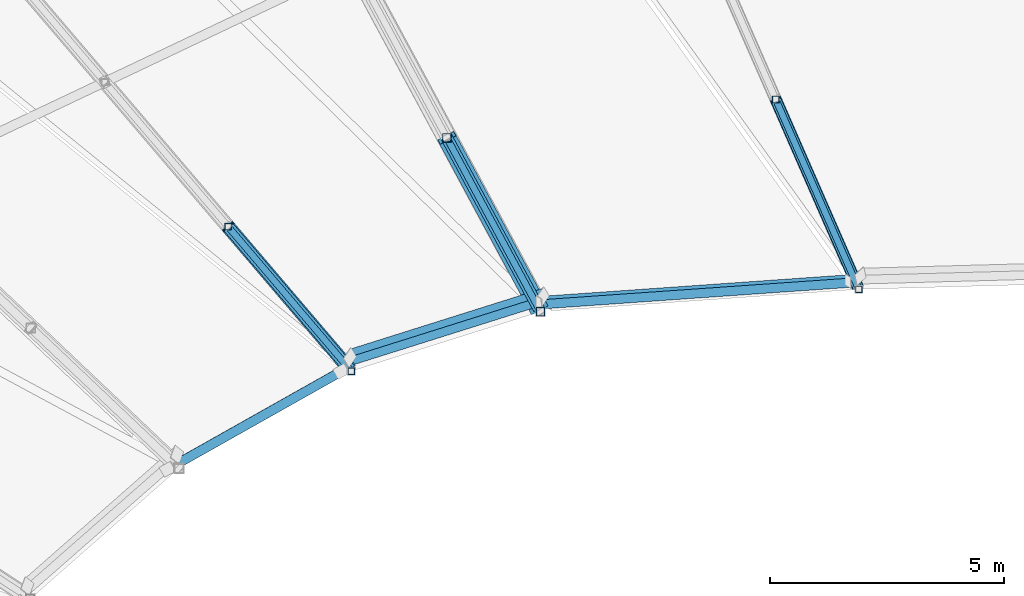
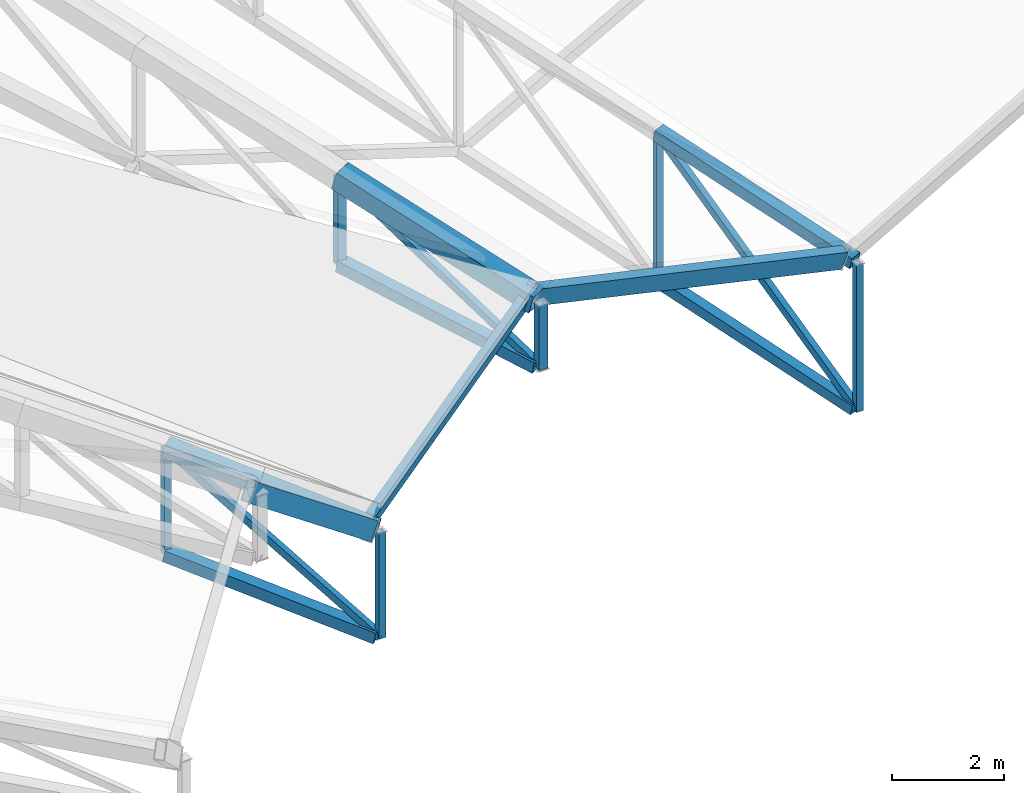
# One storey, part 142 of 344: 15 members, 3 beams.
"""IFC4 building model written with IfcOpenShell, lengths in metres."""

from ifc_helpers import new_model, si_unit, direction, frame, origin, origin_2d, place, context, subcontext, project, spatial, hollow_rectangle, extrude, material, material_profile, profile_set, type_object, element, save


model = new_model("IFC4")

# Units and contexts
model_context = context("Model", 3, precision=1e-05, world=origin(), true_north=direction((0.0, 1.0)))
body_context = subcontext(model_context, "Body", "Model", "MODEL_VIEW")
ifc_project = project(units=[si_unit("LENGTHUNIT", "METRE"), si_unit("AREAUNIT", "SQUARE_METRE"), si_unit("VOLUMEUNIT", "CUBIC_METRE"), si_unit("PLANEANGLEUNIT", "RADIAN"), si_unit("MASSUNIT", "GRAM", prefix="KILO")], contexts=[model_context])

# Site, building, storey
site_placement = place(None, origin())
site = spatial("IfcSite", under=ifc_project, at=site_placement, CompositionType="ELEMENT")
building_placement = place(site_placement, origin())
building = spatial("IfcBuilding", under=site, at=building_placement, Name="Meseta Stadium", CompositionType="ELEMENT")
storey_placement = place(building_placement, frame((0.0, 0.0, 24.0)))
storey = spatial("IfcBuildingStorey", under=building, at=storey_placement, Name="L04", CompositionType="ELEMENT", Elevation=24.0)

# Beams
ifc_material_1 = material(Name="Steel S355", Category="steel")
ifc_material_profile_1 = material_profile(ifc_material_1, hollow_rectangle(XDim=0.199951171875, YDim=0.39990234375, WallThickness=0.01611328125, at=origin_2d()), Name="RHS 400x200x16")
ifc_profile_set_1 = profile_set([ifc_material_profile_1], Name="Steel S355")
beam_type = type_object("IfcBeamType", Name="RHS 400x200x16 tip ring beam", PredefinedType="BEAM", material=ifc_profile_set_1)
beam_1_placement = place(storey_placement, frame((-24.114501953125, 65.75146484375, 1.63671875), z_axis=(-0.962963308248, -0.06747558513, 0.261053083453), x_axis=(0.020675805245, -0.983809354001, -0.178021532568)))
element("IfcBeam", 1, at=beam_1_placement, inside=storey, type_object=beam_type, Name="TIP RING BEAM 22", PredefinedType="BEAM", context=body_context, shape_type="SweptSolid", body=[
    extrude(hollow_rectangle(XDim=0.199951171875, YDim=0.39990234375, WallThickness=0.01611328125, at=origin_2d()), origin(), (0.0, 0.0, 1.0), 6.842041015625),
])
beam_2_placement = place(storey_placement, frame((-30.645751953125, 65.4140625, 3.492919921875), z_axis=(-0.799095724949, -0.251770537172, -0.54594653491), x_axis=(0.48082839216, -0.812764049269, -0.328966043094)))
element("IfcBeam", 2, at=beam_2_placement, inside=storey, type_object=beam_type, Name="TIP RING BEAM 23", PredefinedType="BEAM", context=body_context, shape_type="SweptSolid", body=[
    extrude(hollow_rectangle(XDim=0.199951171875, YDim=0.39990234375, WallThickness=0.01611328125, at=origin_2d()), origin(), (0.0, 0.0, 1.0), 5.135498046875),
])
beam_3_placement = place(storey_placement, frame((-34.941650390625, 63.822509765625, 0.665771484375), z_axis=(-0.680193224368, -0.383153067773, 0.62492471881), x_axis=(0.48708467528, -0.873338681657, -0.005297756935)))
element("IfcBeam", 3, at=beam_3_placement, inside=storey, type_object=beam_type, Name="TIP RING BEAM 24", PredefinedType="BEAM", context=body_context, shape_type="SweptSolid", body=[
    extrude(hollow_rectangle(XDim=0.199951171875, YDim=0.39990234375, WallThickness=0.01611328125, at=origin_2d()), origin(), (0.0, 0.0, 1.0), 5.437744140625),
])

# Members
ifc_material_2 = material(Name="Steel S355", Category="steel")
ifc_material_profile_2 = material_profile(ifc_material_2, hollow_rectangle(XDim=0.139892578125, YDim=0.139892578125, WallThickness=0.0048828125, at=origin_2d()), Name="SHS 140x140x5")
ifc_profile_set_2 = profile_set([ifc_material_profile_2], Name="Steel S355")
member_type_1 = type_object("IfcMemberType", Name="SHS 140x140x5 diagonal", PredefinedType="BRACE", material=ifc_profile_set_2)
member_1_placement = place(storey_placement, frame((-23.879638671875, 65.576904296875, -1.6552734375), z_axis=(-0.290918020478, 0.664698263541, 0.688144551534), x_axis=(-0.916100374083, -0.400949004993, 0.0)))
element("IfcMember", 4, at=member_1_placement, inside=storey, type_object=member_type_1, Name="ROOF TRUSS RT-21 diagonal", PredefinedType="BRACE", context=body_context, shape_type="SweptSolid", body=[
    extrude(hollow_rectangle(XDim=0.139892578125, YDim=0.139892578125, WallThickness=0.0048828125, at=origin_2d()), origin(), (0.0, 0.0, 1.0), 6.101806640625),
])
member_2_placement = place(storey_placement, frame((-30.68212890625, 65.100341796875, 1.9443359375), z_axis=(-0.402981863045, 0.748113790672, 0.527191970978), x_axis=(-0.880396734491, -0.474237904324, 0.0)))
element("IfcMember", 5, at=member_2_placement, inside=storey, type_object=member_type_1, Name="ROOF TRUSS RT-22 diagonal", PredefinedType="BRACE", context=body_context, shape_type="SweptSolid", body=[
    extrude(hollow_rectangle(XDim=0.139892578125, YDim=0.139892578125, WallThickness=0.0048828125, at=origin_2d()), origin(), (0.0, 0.0, 1.0), 4.962890625),
])
member_3_placement = place(storey_placement, frame((-34.722412109375, 63.827392578125, -1.733642578125), z_axis=(-0.51129008099, 0.599561179209, 0.615718154245), x_axis=(-0.760896819388, -0.64887289221, 0.0)))
element("IfcMember", 6, at=member_3_placement, inside=storey, type_object=member_type_1, Name="ROOF TRUSS RT-23 diagonal", PredefinedType="BRACE", context=body_context, shape_type="SweptSolid", body=[
    extrude(hollow_rectangle(XDim=0.139892578125, YDim=0.139892578125, WallThickness=0.0048828125, at=origin_2d()), origin(), (0.0, 0.0, 1.0), 5.152587890625),
])
ifc_material_3 = material(Name="Steel S355", Category="steel")
ifc_material_profile_3 = material_profile(ifc_material_3, hollow_rectangle(XDim=0.139892578125, YDim=0.139892578125, WallThickness=0.0048828125, at=origin_2d()), Name="SHS 140x140x5")
ifc_profile_set_3 = profile_set([ifc_material_profile_3], Name="Steel S355")
member_type_2 = type_object("IfcMemberType", Name="SHS 140x140x5 post", PredefinedType="POST", material=ifc_profile_set_3)
member_4_placement = place(storey_placement, frame((-25.65478515625, 69.6328125, -0.656494140625), z_axis=(0.0, 0.0, 1.0), x_axis=(1.0, 0.0, 0.0)))
element("IfcMember", 7, at=member_4_placement, inside=storey, type_object=member_type_2, Name="ROOF TRUSS RT-21 post", PredefinedType="POST", context=body_context, shape_type="SweptSolid", body=[
    extrude(hollow_rectangle(XDim=0.139892578125, YDim=0.139892578125, WallThickness=0.0048828125, at=origin_2d()), origin(), (0.0, 0.0, 1.0), 3.2001953125),
])
member_5_placement = place(storey_placement, frame((-37.35693359375, 66.916748046875, -0.861083984375), z_axis=(0.0, 0.0, 1.0), x_axis=(1.0, 0.0, 0.0)))
element("IfcMember", 8, at=member_5_placement, inside=storey, type_object=member_type_2, Name="ROOF TRUSS RT-23 post", PredefinedType="POST", context=body_context, shape_type="SweptSolid", body=[
    extrude(hollow_rectangle(XDim=0.139892578125, YDim=0.139892578125, WallThickness=0.0048828125, at=origin_2d()), origin(), (0.0, 0.0, 1.0), 2.300048828125),
])
ifc_material_4 = material(Name="Steel S355", Category="steel")
ifc_material_profile_4 = material_profile(ifc_material_4, hollow_rectangle(XDim=0.139892578125, YDim=0.139892578125, WallThickness=0.0048828125, at=origin_2d()), Name="SHS 140x140x5")
ifc_profile_set_4 = profile_set([ifc_material_profile_4], Name="Steel S355")
member_type_3 = type_object("IfcMemberType", Name="SHS 140x140x5 rim post", PredefinedType="POST", material=ifc_profile_set_4)
member_6_placement = place(storey_placement, frame((-23.879638671875, 65.576904296875, -1.6552734375), z_axis=(0.0, 0.0, 1.0), x_axis=(1.0, 0.0, 0.0)))
element("IfcMember", 9, at=member_6_placement, inside=storey, type_object=member_type_3, Name="ROOF TRUSS RT-21 post", PredefinedType="POST", context=body_context, shape_type="SweptSolid", body=[
    extrude(hollow_rectangle(XDim=0.139892578125, YDim=0.139892578125, WallThickness=0.0048828125, at=origin_2d()), origin(), (0.0, 0.0, 1.0), 3.199951171875),
])
member_7_placement = place(storey_placement, frame((-34.722412109375, 63.827392578125, -1.733642578125), z_axis=(0.0, 0.0, 1.0), x_axis=(1.0, 0.0, 0.0)))
element("IfcMember", 10, at=member_7_placement, inside=storey, type_object=member_type_3, Name="ROOF TRUSS RT-23 post", PredefinedType="POST", context=body_context, shape_type="SweptSolid", body=[
    extrude(hollow_rectangle(XDim=0.139892578125, YDim=0.139892578125, WallThickness=0.0048828125, at=origin_2d()), origin(), (0.0, 0.0, 1.0), 2.300048828125),
])
ifc_material_5 = material(Name="Steel S355", Category="steel")
ifc_material_profile_5 = material_profile(ifc_material_5, hollow_rectangle(XDim=0.179931640625, YDim=0.179931640625, WallThickness=0.00634765625, at=origin_2d()), Name="SHS 180x180x6.3")
ifc_profile_set_5 = profile_set([ifc_material_profile_5], Name="Steel S355")
member_type_4 = type_object("IfcMemberType", Name="SHS 180x180x6.3 post", PredefinedType="POST", material=ifc_profile_set_5)
member_8_placement = place(storey_placement, frame((-32.68212890625, 68.813232421875, 2.657958984375), z_axis=(0.0, 0.0, 1.0), x_axis=(1.0, 0.0, 0.0)))
element("IfcMember", 11, at=member_8_placement, inside=storey, type_object=member_type_4, Name="ROOF TRUSS RT-22 post", PredefinedType="POST", context=body_context, shape_type="SweptSolid", body=[
    extrude(hollow_rectangle(XDim=0.179931640625, YDim=0.179931640625, WallThickness=0.00634765625, at=origin_2d()), origin(), (0.0, 0.0, 1.0), 1.90283203125),
])
ifc_material_6 = material(Name="Steel S355", Category="steel")
ifc_material_profile_6 = material_profile(ifc_material_6, hollow_rectangle(XDim=0.179931640625, YDim=0.179931640625, WallThickness=0.00634765625, at=origin_2d()), Name="SHS 180x180x6.3")
ifc_profile_set_6 = profile_set([ifc_material_profile_6], Name="Steel S355")
member_type_5 = type_object("IfcMemberType", Name="SHS 180x180x6.3 rim post", PredefinedType="POST", material=ifc_profile_set_6)
member_9_placement = place(storey_placement, frame((-30.68212890625, 65.100341796875, 1.9443359375), z_axis=(0.0, 0.0, 1.0), x_axis=(1.0, 0.0, 0.0)))
element("IfcMember", 12, at=member_9_placement, inside=storey, type_object=member_type_5, Name="ROOF TRUSS RT-22 post", PredefinedType="POST", context=body_context, shape_type="SweptSolid", body=[
    extrude(hollow_rectangle(XDim=0.179931640625, YDim=0.179931640625, WallThickness=0.00634765625, at=origin_2d()), origin(), (0.0, 0.0, 1.0), 1.400146484375),
])
ifc_material_7 = material(Name="Steel S355", Category="steel")
ifc_material_profile_7 = material_profile(ifc_material_7, hollow_rectangle(XDim=0.219970703125, YDim=0.219970703125, WallThickness=0.008056640625, at=origin_2d()), Name="SHS 220x220x8")
ifc_profile_set_7 = profile_set([ifc_material_profile_7], Name="Steel S355")
member_type_6 = type_object("IfcMemberType", Name="SHS 220x220x8 bottom chord", PredefinedType="CHORD", material=ifc_profile_set_7)
member_10_placement = place(storey_placement, frame((-23.9072265625, 65.639404296875, -1.639892578125), z_axis=(-0.391075614512, 0.893660774877, 0.220068814648), x_axis=(-0.916120053598, -0.400904037639, 0.0)))
element("IfcMember", 13, at=member_10_placement, inside=storey, type_object=member_type_6, Name="ROOF TRUSS RT-21 bottom chord", PredefinedType="CHORD", context=body_context, shape_type="SweptSolid", body=[
    extrude(hollow_rectangle(XDim=0.219970703125, YDim=0.219970703125, WallThickness=0.008056640625, at=origin_2d()), origin(), (0.0, 0.0, 1.0), 4.468505859375),
])
ifc_material_8 = material(Name="Steel S355", Category="steel")
ifc_material_profile_8 = material_profile(ifc_material_8, hollow_rectangle(XDim=0.25, YDim=0.25, WallThickness=0.010009765625, at=origin_2d()), Name="SHS 250x250x10")
ifc_profile_set_8 = profile_set([ifc_material_profile_8], Name="Steel S355")
member_type_7 = type_object("IfcMemberType", Name="SHS 250x250x10 bottom chord", PredefinedType="CHORD", material=ifc_profile_set_8)
member_11_placement = place(storey_placement, frame((-30.72412109375, 65.178466796875, 1.95947265625), z_axis=(-0.467610054373, 0.868052180737, 0.166812015656), x_axis=(-0.88038753908, -0.474254974706, 0.0)))
element("IfcMember", 14, at=member_11_placement, inside=storey, type_object=member_type_7, Name="ROOF TRUSS RT-22 bottom chord", PredefinedType="CHORD", context=body_context, shape_type="SweptSolid", body=[
    extrude(hollow_rectangle(XDim=0.25, YDim=0.25, WallThickness=0.010009765625, at=origin_2d()), origin(), (0.0, 0.0, 1.0), 4.187255859375),
])
member_12_placement = place(storey_placement, frame((-34.766845703125, 63.87939453125, -1.71875), z_axis=(-0.634382356609, 0.743929767044, 0.210065531037), x_axis=(-0.760907665245, -0.648860173667, 0.0)))
element("IfcMember", 15, at=member_12_placement, inside=storey, type_object=member_type_7, Name="ROOF TRUSS RT-23 bottom chord", PredefinedType="CHORD", context=body_context, shape_type="SweptSolid", body=[
    extrude(hollow_rectangle(XDim=0.25, YDim=0.25, WallThickness=0.010009765625, at=origin_2d()), origin(), (0.0, 0.0, 1.0), 4.082763671875),
])
ifc_material_9 = material(Name="Steel S355", Category="steel")
ifc_material_profile_9 = material_profile(ifc_material_9, hollow_rectangle(XDim=0.25, YDim=0.25, WallThickness=0.010009765625, at=origin_2d()), Name="SHS 250x250x10")
ifc_profile_set_9 = profile_set([ifc_material_profile_9], Name="Steel S355")
member_type_8 = type_object("IfcMemberType", Name="SHS 250x250x10 top chord", PredefinedType="CHORD", material=ifc_profile_set_9)
member_13_placement = place(storey_placement, frame((-23.9072265625, 65.639404296875, 1.56005859375), z_axis=(-0.391070911952, 0.89365002889, 0.220120802494), x_axis=(-0.916120053598, -0.400904037639, 0.0)))
element("IfcMember", 16, at=member_13_placement, inside=storey, type_object=member_type_8, Name="ROOF TRUSS RT-21 top chord", PredefinedType="CHORD", context=body_context, shape_type="SweptSolid", body=[
    extrude(hollow_rectangle(XDim=0.25, YDim=0.25, WallThickness=0.010009765625, at=origin_2d()), origin(), (0.0, 0.0, 1.0), 4.46875),
])
ifc_material_10 = material(Name="Steel S355", Category="steel")
ifc_material_profile_10 = material_profile(ifc_material_10, hollow_rectangle(XDim=0.300048828125, YDim=0.300048828125, WallThickness=0.010009765625, at=origin_2d()), Name="SHS 300x300x10")
ifc_profile_set_10 = profile_set([ifc_material_profile_10], Name="Steel S355")
member_type_9 = type_object("IfcMemberType", Name="SHS 300x300x10 top chord", PredefinedType="CHORD", material=ifc_profile_set_10)
member_14_placement = place(storey_placement, frame((-34.766845703125, 63.87939453125, 0.581298828125), z_axis=(-0.634382356609, 0.743929767044, 0.210065531037), x_axis=(-0.760907665245, -0.648860173667, 0.0)))
element("IfcMember", 17, at=member_14_placement, inside=storey, type_object=member_type_9, Name="ROOF TRUSS RT-23 top chord", PredefinedType="CHORD", context=body_context, shape_type="SweptSolid", body=[
    extrude(hollow_rectangle(XDim=0.300048828125, YDim=0.300048828125, WallThickness=0.010009765625, at=origin_2d()), origin(), (0.0, 0.0, 1.0), 4.082763671875),
])
ifc_material_11 = material(Name="Steel S355", Category="steel")
ifc_material_profile_11 = material_profile(ifc_material_11, hollow_rectangle(XDim=0.39990234375, YDim=0.39990234375, WallThickness=0.010009765625, at=origin_2d()), Name="SHS 400x400x10")
ifc_profile_set_11 = profile_set([ifc_material_profile_11], Name="Steel S355")
member_type_10 = type_object("IfcMemberType", Name="SHS 400x400x10 top chord", PredefinedType="CHORD", material=ifc_profile_set_11)
member_15_placement = place(storey_placement, frame((-30.72314453125, 65.176513671875, 3.369384765625), z_axis=(-0.455666588297, 0.845913447067, 0.277125243132), x_axis=(-0.880395176794, -0.474240796092, 0.0)))
element("IfcMember", 18, at=member_15_placement, inside=storey, type_object=member_type_10, Name="ROOF TRUSS RT-22 top chord", PredefinedType="CHORD", context=body_context, shape_type="SweptSolid", body=[
    extrude(hollow_rectangle(XDim=0.39990234375, YDim=0.39990234375, WallThickness=0.010009765625, at=origin_2d()), origin(), (0.0, 0.0, 1.0), 4.299072265625),
])

save(model, "model.ifc")
